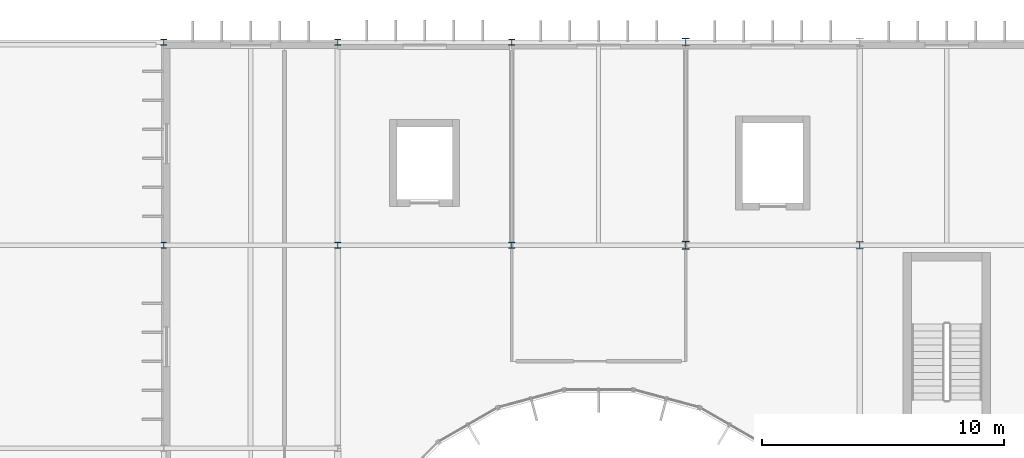
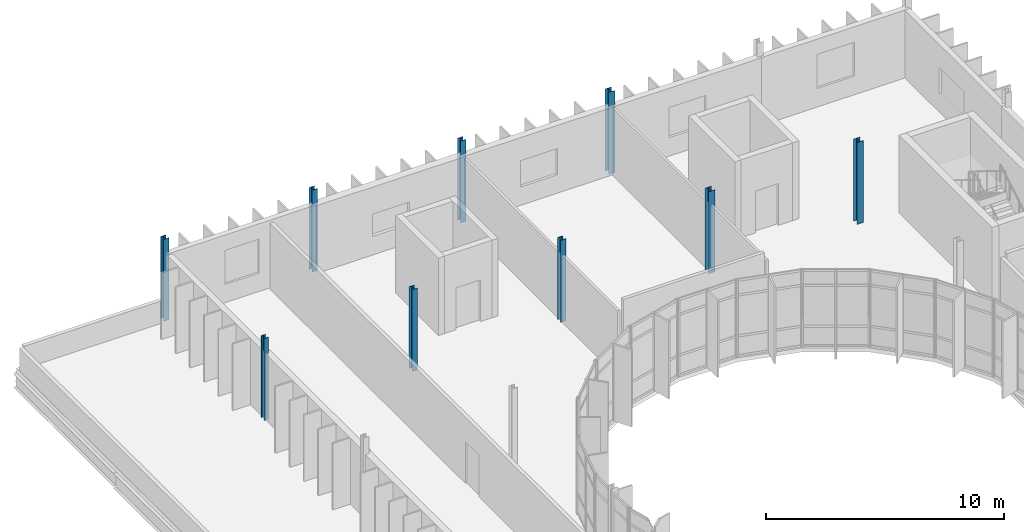
# One storey, part 8 of 52: 9 columns.
"""IFC4 building model written with IfcOpenShell, lengths in metres."""

from ifc_helpers import new_model, si_unit, direction, frame, origin, origin_2d, place, context, subcontext, project, spatial, i_section, extrude, material, material_profile, profile_set, type_object, element, save


model = new_model("IFC4")

# Units and contexts
model_context = context("Model", 3, precision=1e-05, world=origin(), true_north=direction((0.0, 1.0)))
body_context = subcontext(model_context, "Body", "Model", "MODEL_VIEW")
ifc_project = project(units=[si_unit("LENGTHUNIT", "METRE"), si_unit("AREAUNIT", "SQUARE_METRE"), si_unit("VOLUMEUNIT", "CUBIC_METRE"), si_unit("PLANEANGLEUNIT", "RADIAN"), si_unit("MASSUNIT", "GRAM", prefix="KILO")], contexts=[model_context])

# Site, building, storey
site_placement = place(None, origin())
site = spatial("IfcSite", under=ifc_project, at=site_placement, CompositionType="ELEMENT")
building_placement = place(site_placement, origin())
building = spatial("IfcBuilding", under=site, at=building_placement, Name="Qelthora Terrace Specialist Clinic", CompositionType="ELEMENT")
storey_placement = place(building_placement, frame((0.0, 0.0, 17.39990234375)))
storey = spatial("IfcBuildingStorey", under=building, at=storey_placement, Name="L04", CompositionType="ELEMENT", Elevation=17.39990234375)

# Columns
ifc_material = material(Name="Steel S355", Category="steel")
ifc_material_profile_1 = material_profile(ifc_material, i_section(OverallWidth=0.2041015625, OverallDepth=0.257080078125, WebThickness=0.0087890625, FlangeThickness=0.015625, FilletRadius=0.012939453125, at=origin_2d()), Name="W250X67")
ifc_profile_set_1 = profile_set([ifc_material_profile_1], Name="Steel S355")
column_type_1 = type_object("IfcColumnType", Name="COL-W250X67", PredefinedType="COLUMN", material=ifc_profile_set_1)
column_1_placement = place(storey_placement, frame((7.199951171875, 100.800048828125, 0.0), z_axis=(0.0, 0.0, 1.0), x_axis=(1.0, 0.0, 0.0)))
element("IfcColumn", 1, at=column_1_placement, inside=storey, type_object=column_type_1, Name="Column L04-027", PredefinedType="COLUMN", context=body_context, shape_type="SweptSolid", body=[
    extrude(i_section(OverallWidth=0.2041015625, OverallDepth=0.257080078125, WebThickness=0.0087890625, FlangeThickness=0.015625, FilletRadius=0.012939453125, at=origin_2d()), origin(), (0.0, 0.0, 1.0), 4.2001953125),
])
ifc_material_profile_2 = material_profile(ifc_material, i_section(OverallWidth=0.25390625, OverallDepth=0.2529296875, WebThickness=0.008544921875, FlangeThickness=0.01416015625, FilletRadius=0.012939453125, at=origin_2d()), Name="W250X73")
ifc_profile_set_2 = profile_set([ifc_material_profile_2], Name="Steel S355")
column_type_2 = type_object("IfcColumnType", Name="COL-W250X73", PredefinedType="COLUMN", material=ifc_profile_set_2)
column_2_placement = place(storey_placement, frame((14.39990234375, 109.199951171875, 0.0), z_axis=(0.0, 0.0, 1.0), x_axis=(1.0, 0.0, 0.0)))
element("IfcColumn", 2, at=column_2_placement, inside=storey, type_object=column_type_2, Name="Column L04-042", PredefinedType="COLUMN", context=body_context, shape_type="SweptSolid", body=[
    extrude(i_section(OverallWidth=0.25390625, OverallDepth=0.2529296875, WebThickness=0.008544921875, FlangeThickness=0.01416015625, FilletRadius=0.012939453125, at=origin_2d()), origin(), (0.0, 0.0, 1.0), 4.2001953125),
])
ifc_material_profile_3 = material_profile(ifc_material, i_section(OverallWidth=0.2548828125, OverallDepth=0.256103515625, WebThickness=0.009521484375, FlangeThickness=0.015625, FilletRadius=0.012939453125, at=origin_2d()), Name="W250X80")
ifc_profile_set_3 = profile_set([ifc_material_profile_3], Name="Steel S355")
column_type_3 = type_object("IfcColumnType", Name="COL-W250X80", PredefinedType="COLUMN", material=ifc_profile_set_3)
for number, where, z_axis, x_axis, name in (
    (3, (14.39990234375, 100.800048828125, 0.0), (0.0, 0.0, 1.0), (1.0, 0.0, 0.0), "Column L04-041"),
    (4, (21.60009765625, 109.199951171875, 0.0), (0.0, 0.0, 1.0), (1.0, 0.0, 0.0), "Column L04-053"),
):
    element("IfcColumn", number, at=place(storey_placement, frame(where, z_axis=z_axis, x_axis=x_axis)), inside=storey, type_object=column_type_3, Name=name, PredefinedType="COLUMN", context=body_context, shape_type="SweptSolid", body=[
        extrude(i_section(OverallWidth=0.2548828125, OverallDepth=0.256103515625, WebThickness=0.009521484375, FlangeThickness=0.015625, FilletRadius=0.012939453125, at=origin_2d()), origin(), (0.0, 0.0, 1.0), 4.2001953125),
    ])
ifc_material_profile_4 = material_profile(ifc_material, i_section(OverallWidth=0.256103515625, OverallDepth=0.260009765625, WebThickness=0.0107421875, FlangeThickness=0.017333984375, FilletRadius=0.012939453125, at=origin_2d()), Name="W250X89")
ifc_profile_set_4 = profile_set([ifc_material_profile_4], Name="Steel S355")
column_type_4 = type_object("IfcColumnType", Name="COL-W250X89", PredefinedType="COLUMN", material=ifc_profile_set_4)
for number, where, z_axis, x_axis, name in (
    (5, (7.199951171875, 109.199951171875, 0.0), (0.0, 0.0, 1.0), (1.0, 0.0, 0.0), "Column L04-028"),
    (6, (21.60009765625, 100.800048828125, 0.0), (0.0, 0.0, 1.0), (1.0, 0.0, 0.0), "Column L04-052"),
):
    element("IfcColumn", number, at=place(storey_placement, frame(where, z_axis=z_axis, x_axis=x_axis)), inside=storey, type_object=column_type_4, Name=name, PredefinedType="COLUMN", context=body_context, shape_type="SweptSolid", body=[
        extrude(i_section(OverallWidth=0.256103515625, OverallDepth=0.260009765625, WebThickness=0.0107421875, FlangeThickness=0.017333984375, FilletRadius=0.012939453125, at=origin_2d()), origin(), (0.0, 0.0, 1.0), 4.2001953125),
    ])
ifc_material_profile_5 = material_profile(ifc_material, i_section(OverallWidth=0.305908203125, OverallDepth=0.31103515625, WebThickness=0.010986328125, FlangeThickness=0.01708984375, FilletRadius=0.014892578125, at=origin_2d()), Name="W310X107")
ifc_profile_set_5 = profile_set([ifc_material_profile_5], Name="Steel S355")
column_type_5 = type_object("IfcColumnType", Name="COL-W310X107", PredefinedType="COLUMN", material=ifc_profile_set_5)
column_3_placement = place(storey_placement, frame((28.800048828125, 109.199951171875, 0.0), z_axis=(0.0, 0.0, 1.0), x_axis=(1.0, 0.0, 0.0)))
element("IfcColumn", 7, at=column_3_placement, inside=storey, type_object=column_type_5, Name="Column L04-064", PredefinedType="COLUMN", context=body_context, shape_type="SweptSolid", body=[
    extrude(i_section(OverallWidth=0.305908203125, OverallDepth=0.31103515625, WebThickness=0.010986328125, FlangeThickness=0.01708984375, FilletRadius=0.014892578125, at=origin_2d()), origin(), (0.0, 0.0, 1.0), 4.2001953125),
])
ifc_material_profile_6 = material_profile(ifc_material, i_section(OverallWidth=0.306884765625, OverallDepth=0.31396484375, WebThickness=0.011962890625, FlangeThickness=0.018798828125, FilletRadius=0.01611328125, at=origin_2d()), Name="W310X118")
ifc_profile_set_6 = profile_set([ifc_material_profile_6], Name="Steel S355")
column_type_6 = type_object("IfcColumnType", Name="COL-W310X118", PredefinedType="COLUMN", material=ifc_profile_set_6)
column_4_placement = place(storey_placement, frame((28.800048828125, 100.800048828125, 0.0), z_axis=(0.0, 0.0, 1.0), x_axis=(1.0, 0.0, 0.0)))
element("IfcColumn", 8, at=column_4_placement, inside=storey, type_object=column_type_6, Name="Column L04-063", PredefinedType="COLUMN", context=body_context, shape_type="SweptSolid", body=[
    extrude(i_section(OverallWidth=0.306884765625, OverallDepth=0.31396484375, WebThickness=0.011962890625, FlangeThickness=0.018798828125, FilletRadius=0.01611328125, at=origin_2d()), origin(), (0.0, 0.0, 1.0), 4.2001953125),
])
ifc_material_profile_7 = material_profile(ifc_material, i_section(OverallWidth=0.304931640625, OverallDepth=0.30810546875, WebThickness=0.010009765625, FlangeThickness=0.015380859375, FilletRadius=0.014892578125, at=origin_2d()), Name="W310X97")
ifc_profile_set_7 = profile_set([ifc_material_profile_7], Name="Steel S355")
column_type_7 = type_object("IfcColumnType", Name="COL-W310X97", PredefinedType="COLUMN", material=ifc_profile_set_7)
column_5_placement = place(storey_placement, frame((36.0, 100.800048828125, 0.0), z_axis=(0.0, 0.0, 1.0), x_axis=(1.0, 0.0, 0.0)))
element("IfcColumn", 9, at=column_5_placement, inside=storey, type_object=column_type_7, Name="Column L04-077", PredefinedType="COLUMN", context=body_context, shape_type="SweptSolid", body=[
    extrude(i_section(OverallWidth=0.304931640625, OverallDepth=0.30810546875, WebThickness=0.010009765625, FlangeThickness=0.015380859375, FilletRadius=0.014892578125, at=origin_2d()), origin(), (0.0, 0.0, 1.0), 4.2001953125),
])

save(model, "model.ifc")
